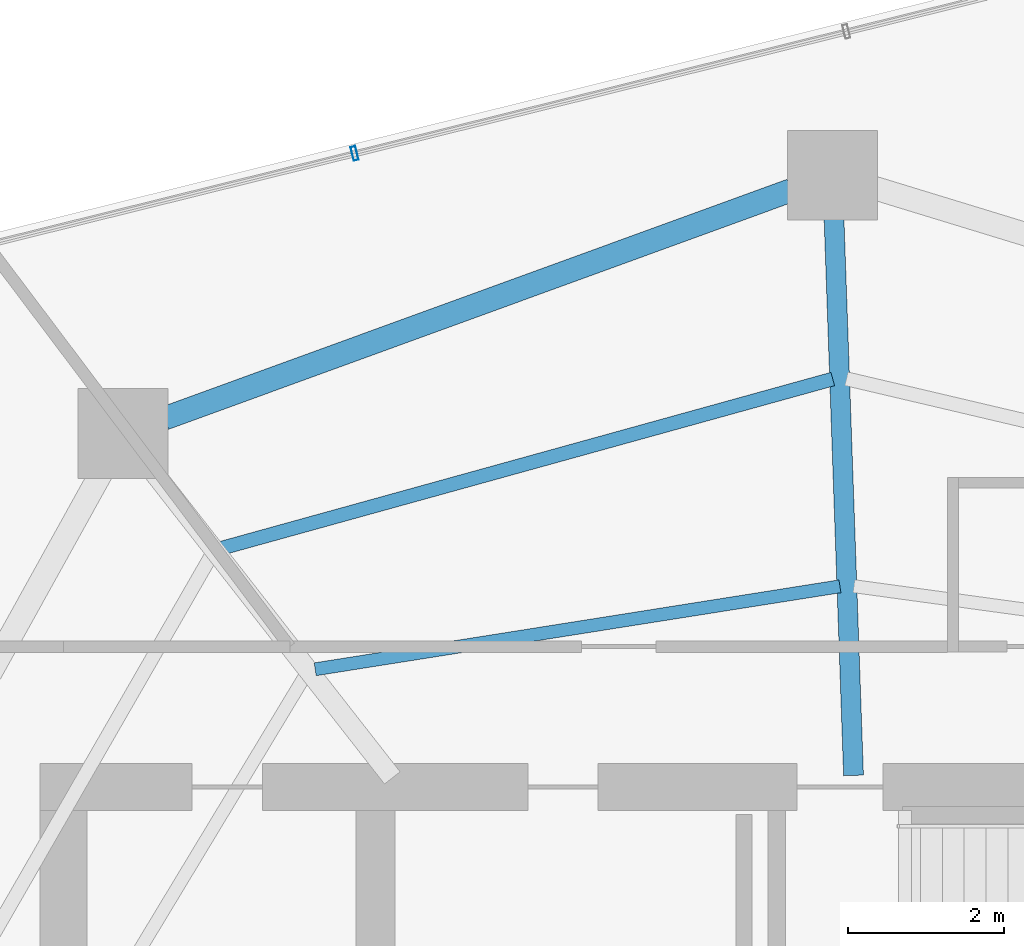
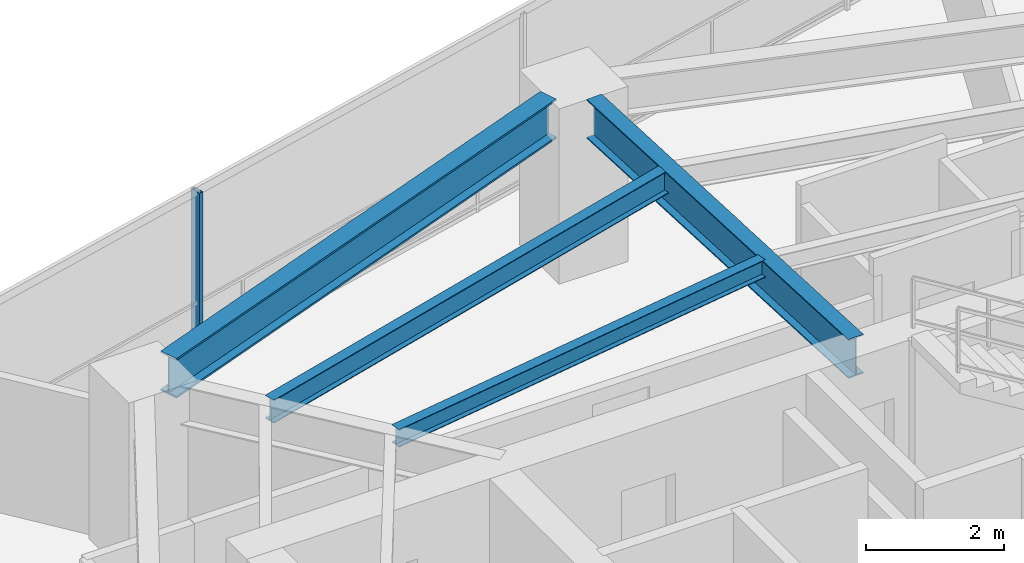
# One storey, part 13 of 23: 4 beams, 1 member, 1 element without a shape of its own.
"""IFC4 building model written with IfcOpenShell, lengths in metres."""

from ifc_helpers import new_model, si_unit, direction, frame, origin, origin_2d, place, context, subcontext, project, spatial, hollow_rectangle, i_section, extrude, material, layer, layer_set, material_profile, profile_set, type_object, element, aggregate, save


model = new_model("IFC4")

# Units and contexts
model_context = context("Model", 3, precision=1e-05, world=origin(), true_north=direction((0.0, 1.0)))
body_context = subcontext(model_context, "Body", "Model", "MODEL_VIEW")
ifc_project = project(units=[si_unit("LENGTHUNIT", "METRE"), si_unit("AREAUNIT", "SQUARE_METRE"), si_unit("VOLUMEUNIT", "CUBIC_METRE"), si_unit("PLANEANGLEUNIT", "RADIAN"), si_unit("MASSUNIT", "GRAM", prefix="KILO")], contexts=[model_context])

# Site, building, storey
site_placement = place(None, origin())
site = spatial("IfcSite", under=ifc_project, at=site_placement, CompositionType="ELEMENT")
building_placement = place(site_placement, origin())
building = spatial("IfcBuilding", under=site, at=building_placement, Name="Qarnah Convention Tower", CompositionType="ELEMENT")
storey_placement = place(building_placement, frame((0.0, 0.0, 117.75)))
storey = spatial("IfcBuildingStorey", under=building, at=storey_placement, Name="L31", CompositionType="ELEMENT", Elevation=117.75)

# Beams
ifc_material_1 = material(Name="Structural steel S355JR", Category="steel")
ifc_material_profile_1 = material_profile(ifc_material_1, i_section(OverallWidth=0.166015625, OverallDepth=0.31201171875, WebThickness=0.007080078125, FlangeThickness=0.010986328125, at=origin_2d()), Name="W310X45")
ifc_profile_set_1 = profile_set([ifc_material_profile_1], Name="Structural steel S355JR")
beam_type_1 = type_object("IfcBeamType", Name="BM-JST-W310", PredefinedType="JOIST", material=ifc_profile_set_1)
beam_1_placement = place(storey_placement, frame((36.7490234375, 36.77294921875, 2.93408203125), z_axis=(-0.987730371852, -0.156168858996, 0.0), x_axis=(0.156168858996, -0.987730371852, 0.0)))
element("IfcBeam", 1, at=beam_1_placement, inside=storey, type_object=beam_type_1, Name="L31 joist BM-L31-IJST-03", PredefinedType="JOIST", context=body_context, shape_type="SweptSolid", body=[
    extrude(i_section(OverallWidth=0.166015625, OverallDepth=0.31201171875, WebThickness=0.007080078125, FlangeThickness=0.010986328125, at=origin_2d()), origin(), (0.0, 0.0, 1.0), 6.806640625),
])
ifc_material_profile_2 = material_profile(ifc_material_1, i_section(OverallWidth=0.177978515625, OverallDepth=0.407958984375, WebThickness=0.008056640625, FlangeThickness=0.012939453125, at=origin_2d()), Name="W410X60")
ifc_profile_set_2 = profile_set([ifc_material_profile_2], Name="Structural steel S355JR")
beam_type_2 = type_object("IfcBeamType", Name="BM-JST-W410", PredefinedType="JOIST", material=ifc_profile_set_2)
beam_2_placement = place(storey_placement, frame((36.656982421875, 39.428955078125, 2.885986328125), z_axis=(-0.963761857739, -0.266764093474, 0.0), x_axis=(0.266764093474, -0.963761857739, 0.0)))
element("IfcBeam", 2, at=beam_2_placement, inside=storey, type_object=beam_type_2, Name="L31 joist BM-L31-SJST-03", PredefinedType="JOIST", context=body_context, shape_type="SweptSolid", body=[
    extrude(i_section(OverallWidth=0.177978515625, OverallDepth=0.407958984375, WebThickness=0.008056640625, FlangeThickness=0.012939453125, at=origin_2d()), origin(), (0.0, 0.0, 1.0), 8.130615234375),
])
ifc_material_profile_3 = material_profile(ifc_material_1, i_section(OverallWidth=0.25390625, OverallDepth=0.68798828125, WebThickness=0.012939453125, FlangeThickness=0.02099609375, at=origin_2d()), Name="W690X152")
ifc_profile_set_3 = profile_set([ifc_material_profile_3], Name="Structural steel S355JR")
beam_type_3 = type_object("IfcBeamType", Name="BM-RAD-W690", PredefinedType="BEAM", material=ifc_profile_set_3)
beam_3_placement = place(storey_placement, frame((36.923095703125, 34.35009765625, 2.74609375), z_axis=(-0.035017005912, 0.99938671659, 0.0), x_axis=(-0.99938671659, -0.035017005912, 0.0)))
element("IfcBeam", 3, at=beam_3_placement, inside=storey, type_object=beam_type_3, Name="L31 beam BM-L31-RAD-03", PredefinedType="BEAM", context=body_context, shape_type="SweptSolid", body=[
    extrude(i_section(OverallWidth=0.25390625, OverallDepth=0.68798828125, WebThickness=0.012939453125, FlangeThickness=0.02099609375, at=origin_2d()), origin(), (0.0, 0.0, 1.0), 7.139404296875),
])
ifc_material_profile_4 = material_profile(ifc_material_1, i_section(OverallWidth=0.300048828125, OverallDepth=0.699951171875, WebThickness=0.01708984375, FlangeThickness=0.031982421875, at=origin_2d()), Name="HEB700")
ifc_profile_set_4 = profile_set([ifc_material_profile_4], Name="Structural steel S355JR")
beam_type_4 = type_object("IfcBeamType", Name="BM-RING-HEB700", PredefinedType="BEAM", material=ifc_profile_set_4)
beam_4_placement = place(storey_placement, frame((36.123046875, 41.846923828125, 2.739990234375), z_axis=(-0.939683226771, -0.342045952067, 0.0), x_axis=(0.342045952067, -0.939683226771, 0.0)))
element("IfcBeam", 4, at=beam_4_placement, inside=storey, type_object=beam_type_4, Name="L31 beam BM-L31-SPN-03", PredefinedType="BEAM", context=body_context, shape_type="SweptSolid", body=[
    extrude(i_section(OverallWidth=0.300048828125, OverallDepth=0.699951171875, WebThickness=0.01708984375, FlangeThickness=0.031982421875, at=origin_2d()), origin(), (0.0, 0.0, 1.0), 8.542236328125),
])

# Curtain wall, member
ifc_material_2 = material(Name="Tempered Low-E dark glass", Category="glass")
ifc_layer = layer(ifc_material_2, 0.169921875)
ifc_layer_set = layer_set([ifc_layer], Name="Tempered Low-E dark glass")
curtain_wall_type = type_object("IfcCurtainWallType", Name="CWS-02", PredefinedType="NOTDEFINED", material=ifc_layer_set)
curtain_wall_placement = place(storey_placement, origin())
curtain_wall = element("IfcCurtainWall", 5, at=curtain_wall_placement, inside=storey, type_object=curtain_wall_type, Name="L31 unitised curtain wall CW-L31-F1", PredefinedType="NOTDEFINED")
ifc_material_3 = material(Name="Black anodised aluminium", Category="aluminium")
ifc_material_profile_5 = material_profile(ifc_material_3, hollow_rectangle(XDim=0.06494140625, YDim=0.179931640625, WallThickness=0.00390625, at=origin_2d()), Name="MUL-65X180")
ifc_profile_set_5 = profile_set([ifc_material_profile_5], Name="Black anodised aluminium")
member_type = type_object("IfcMemberType", Name="MUL-T2", PredefinedType="MULLION", material=ifc_profile_set_5)
member_placement = place(storey_placement, frame((30.5302734375, 42.31982421875, 0.0), z_axis=(0.0, 0.0, 1.0), x_axis=(0.970638864728, 0.240541460625, 0.0)))
member = element("IfcMember", 6, at=member_placement, type_object=member_type, Name="CW-L31-F1 mullion 3", PredefinedType="MULLION", context=body_context, shape_type="SweptSolid", body=[
    extrude(hollow_rectangle(XDim=0.06494140625, YDim=0.179931640625, WallThickness=0.00390625, at=origin_2d()), origin(), (0.0, 0.0, 1.0), 3.090087890625),
])
aggregate(curtain_wall, [member])

save(model, "model.ifc")
